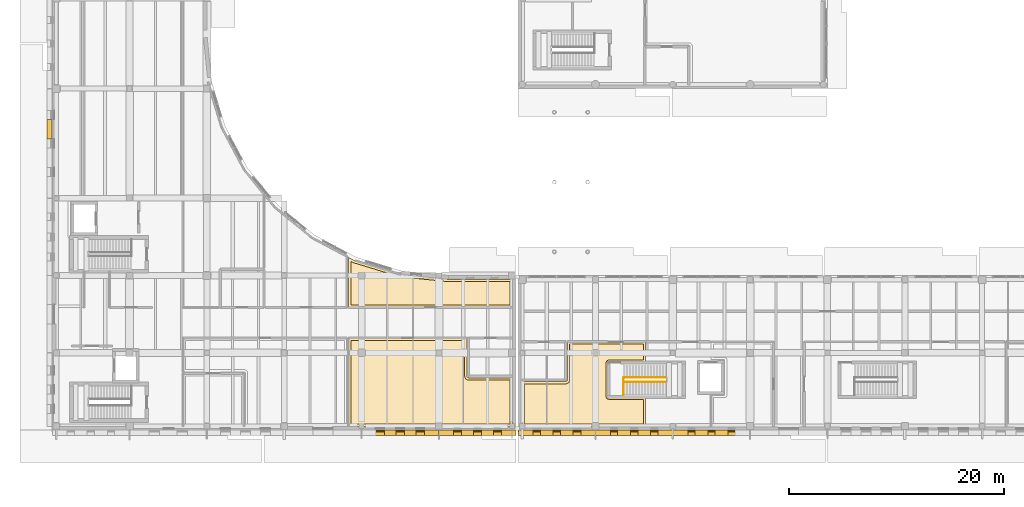
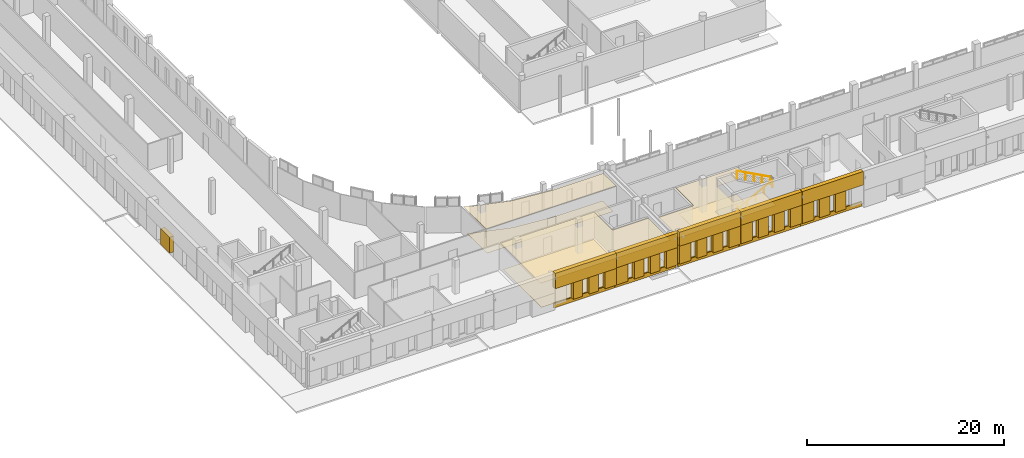
# One storey, part 66 of 77: 35 coverings, 3 railings.
"""IFC4 building model written with IfcOpenShell, lengths in metres."""

from ifc_helpers import new_model, si_unit, direction, frame, origin, origin_2d, place, context, subcontext, project, spatial, polyline, circle, outline, extrude, material, layer, layer_set, type_object, element, save


model = new_model("IFC4")

# Units and contexts
model_context = context("Model", 3, precision=1e-05, world=origin(), true_north=direction((0.0, 1.0)))
body_context = subcontext(model_context, "Body", "Model", "MODEL_VIEW")
ifc_project = project(units=[si_unit("LENGTHUNIT", "METRE"), si_unit("AREAUNIT", "SQUARE_METRE"), si_unit("VOLUMEUNIT", "CUBIC_METRE"), si_unit("PLANEANGLEUNIT", "RADIAN"), si_unit("MASSUNIT", "GRAM", prefix="KILO")], contexts=[model_context])

# Site, building, storey
site_placement = place(None, origin())
site = spatial("IfcSite", under=ifc_project, at=site_placement, CompositionType="ELEMENT")
building_placement = place(site_placement, origin())
building = spatial("IfcBuilding", under=site, at=building_placement, Name="Vardoun Plaza Health Centre", CompositionType="ELEMENT")
storey_placement = place(building_placement, origin())
storey = spatial("IfcBuildingStorey", under=building, at=storey_placement, Name="L00", CompositionType="ELEMENT", Elevation=0.0)

# Coverings
ifc_material_1 = material(Name="Hygienic Acoustic Mineral-Fibre Ceiling", Category="concrete")
ifc_layer_1 = layer(ifc_material_1, 0.02490234375)
ifc_layer_set_1 = layer_set([ifc_layer_1], Name="Hygienic Acoustic Mineral-Fibre Ceiling")
covering_type_1 = type_object("IfcCoveringType", Name="CL-01", PredefinedType="CEILING", material=ifc_layer_set_1)
covering_1_placement = place(storey_placement, frame((0.0, 0.0, 3.179931640625)))
element("IfcCovering", 1, at=covering_1_placement, inside=storey, type_object=covering_type_1, Name="GP Consulting Room 04 Acoustic Ceiling", PredefinedType="CEILING", context=body_context, shape_type="SweptSolid", body=[
    extrude(outline(polyline([(32.10009765625, 13.070068359375), (43.116455078125, 13.070068359375), (43.116455078125, 9.529052734375), (43.116455078125, 9.528564453125), (43.1171875, 9.514892578125), (43.1171875, 9.513916015625), (43.119384765625, 9.500244140625), (43.119384765625, 9.49951171875), (43.122802734375, 9.486083984375), (43.123046875, 9.485107421875), (43.127685546875, 9.47216796875), (43.128173828125, 9.471435546875), (43.1337890625, 9.458984375), (43.134521484375, 9.4580078125), (43.1416015625, 9.446044921875), (43.14208984375, 9.4453125), (43.150390625, 9.434326171875), (43.15087890625, 9.43359375), (43.16015625, 9.42333984375), (43.160888671875, 9.422607421875), (43.1708984375, 9.41357421875), (43.171630859375, 9.412841796875), (43.1826171875, 9.40478515625), (43.18359375, 9.404052734375), (43.1953125, 9.397216796875), (43.1962890625, 9.396728515625), (43.20849609375, 9.390869140625), (43.209716796875, 9.390380859375), (43.22265625, 9.3857421875), (43.223388671875, 9.385498046875), (43.23681640625, 9.382080078125), (43.23779296875, 9.3818359375), (43.251220703125, 9.3798828125), (43.252197265625, 9.3798828125), (43.26611328125, 9.379150390625), (43.2666015625, 9.379150390625), (47.340087890625, 9.379150390625), (47.340087890625, 4.860107421875), (32.10009765625, 4.860107421875), (32.10009765625, 13.070068359375)])), origin(), (0.0, 0.0, 1.0), 0.025146484375),
])
covering_2_placement = place(storey_placement, frame((0.0, 0.0, 3.179931640625)))
element("IfcCovering", 2, at=covering_2_placement, inside=storey, type_object=covering_type_1, Name="GP Consulting Room 01 Acoustic Ceiling", PredefinedType="CEILING", context=body_context, shape_type="SweptSolid", body=[
    extrude(outline(polyline([(32.619873046875, 20.295166015625), (32.620361328125, 20.294921875), (32.6513671875, 20.2802734375), (32.65234375, 20.27978515625), (32.6845703125, 20.268310546875), (32.68505859375, 20.268310546875), (36.906005859375, 18.98779296875), (36.906494140625, 18.98779296875), (36.939697265625, 18.979248046875), (36.940673828125, 18.97900390625), (36.974609375, 18.97412109375), (36.97509765625, 18.97412109375), (41.36474609375, 18.541748046875), (41.365234375, 18.541748046875), (41.3994140625, 18.5400390625), (41.39990234375, 18.5400390625), (47.340087890625, 18.5400390625), (47.340087890625, 15.929931640625), (32.10009765625, 15.929931640625), (32.10009765625, 20.572998046875), (32.619873046875, 20.295166015625)])), origin(), (0.0, 0.0, 1.0), 0.025146484375),
])
covering_3_placement = place(storey_placement, frame((0.0, 0.0, 3.14501953125)))
element("IfcCovering", 3, at=covering_3_placement, inside=storey, type_object=covering_type_1, Name="Digital X-Ray Radiography Room 2 Acoustic Ceiling", PredefinedType="CEILING", context=body_context, shape_type="SweptSolid", body=[
    extrude(outline(polyline([(59.75, 10.81005859375), (56.300048828125, 10.81005859375), (56.299072265625, 10.81005859375), (56.298095703125, 10.809814453125), (56.297119140625, 10.8095703125), (56.296142578125, 10.80908203125), (56.29541015625, 10.808837890625), (56.29443359375, 10.808349609375), (56.293701171875, 10.8076171875), (56.29296875, 10.80712890625), (56.292236328125, 10.806396484375), (56.291748046875, 10.8056640625), (56.291259765625, 10.8046875), (56.290771484375, 10.8037109375), (56.290283203125, 10.802978515625), (56.290283203125, 10.802001953125), (56.2900390625, 10.801025390625), (56.2900390625, 10.800048828125), (56.2900390625, 7.60009765625), (56.2900390625, 7.59912109375), (56.290283203125, 7.597900390625), (56.290283203125, 7.59716796875), (56.290771484375, 7.59619140625), (56.291259765625, 7.59521484375), (56.291748046875, 7.594482421875), (56.292236328125, 7.59375), (56.29296875, 7.593017578125), (56.293701171875, 7.59228515625), (56.29443359375, 7.591796875), (56.29541015625, 7.59130859375), (56.296142578125, 7.5908203125), (56.297119140625, 7.59033203125), (56.298095703125, 7.590087890625), (56.299072265625, 7.590087890625), (56.300048828125, 7.590087890625), (59.75, 7.590087890625), (59.75, 4.860107421875), (48.239990234375, 4.860107421875), (48.239990234375, 9.029052734375), (52.3134765625, 9.029052734375), (52.31396484375, 9.029052734375), (52.32763671875, 9.02978515625), (52.32861328125, 9.02978515625), (52.34228515625, 9.031982421875), (52.34326171875, 9.031982421875), (52.356689453125, 9.035400390625), (52.357421875, 9.035888671875), (52.370361328125, 9.040283203125), (52.371337890625, 9.040771484375), (52.3837890625, 9.046630859375), (52.384521484375, 9.047119140625), (52.396484375, 9.05419921875), (52.397216796875, 9.0546875), (52.408203125, 9.06298828125), (52.408935546875, 9.0634765625), (52.419189453125, 9.07275390625), (52.419921875, 9.073486328125), (52.42919921875, 9.08349609375), (52.4296875, 9.084228515625), (52.43798828125, 9.09521484375), (52.4384765625, 9.09619140625), (52.445556640625, 9.10791015625), (52.446044921875, 9.10888671875), (52.451904296875, 9.121337890625), (52.4521484375, 9.122314453125), (52.456787109375, 9.135009765625), (52.457275390625, 9.135986328125), (52.46044921875, 9.1494140625), (52.460693359375, 9.150390625), (52.462646484375, 9.163818359375), (52.462890625, 9.164794921875), (52.46337890625, 9.1787109375), (52.46337890625, 9.17919921875), (52.46337890625, 12.719970703125), (59.75, 12.719970703125), (59.75, 10.81005859375)])), origin(), (0.0, 0.0, 1.0), 0.02490234375),
])
ifc_material_2 = material(Name="Pale Limestone Concrete C35/45", Category="masonry")
ifc_layer_2 = layer(ifc_material_2, 0.080078125)
ifc_layer_set_2 = layer_set([ifc_layer_2], Name="Pale Limestone Concrete C35/45")
covering_type_2 = type_object("IfcCoveringType", Name="CL-EXT1", PredefinedType="CLADDING", material=ifc_layer_set_2)
covering_4_placement = place(storey_placement, origin())
element("IfcCovering", 4, at=covering_4_placement, inside=storey, type_object=covering_type_2, Name="V2 L00 Pale Concrete Sill Band 1", PredefinedType="CLADDING", context=body_context, shape_type="SweptSolid", body=[
    extrude(outline(polyline([(47.679931640625, 4.5), (40.52001953125, 4.5), (40.52001953125, 4.360107421875), (47.679931640625, 4.360107421875), (47.679931640625, 4.5)])), origin(), (0.0, 0.0, 1.0), 0.550048828125),
])
covering_5_placement = place(storey_placement, frame((0.0, 0.0, 2.68994140625)))
element("IfcCovering", 5, at=covering_5_placement, inside=storey, type_object=covering_type_2, Name="V2 L00 Sculpted Concrete Eyebrow Hood 2", PredefinedType="CLADDING", context=body_context, shape_type="SweptSolid", body=[
    extrude(outline(polyline([(47.679931640625, 4.5), (40.52001953125, 4.5), (40.52001953125, 4.02001953125), (47.679931640625, 4.02001953125), (47.679931640625, 4.5)])), origin(), (0.0, 0.0, 1.0), 1.81005859375),
])
covering_6_placement = place(storey_placement, frame((0.0, 0.0, 0.550048828125)))
element("IfcCovering", 6, at=covering_6_placement, inside=storey, type_object=covering_type_2, Name="V2 L00 Deep-Punched Slot Concrete Reveal Pier 3", PredefinedType="CLADDING", context=body_context, shape_type="SweptSolid", body=[
    extrude(outline(polyline([(47.679931640625, 4.5), (46.346923828125, 4.5), (46.346923828125, 4.02001953125), (47.679931640625, 4.02001953125), (47.679931640625, 4.5)])), origin(), (0.0, 0.0, 1.0), 2.139892578125),
])
covering_7_placement = place(storey_placement, frame((0.0, 0.0, 0.550048828125)))
element("IfcCovering", 7, at=covering_7_placement, inside=storey, type_object=covering_type_2, Name="V2 L00 Deep-Punched Slot Concrete Reveal Pier 4", PredefinedType="CLADDING", context=body_context, shape_type="SweptSolid", body=[
    extrude(outline(polyline([(45.596923828125, 4.5), (44.47509765625, 4.5), (44.47509765625, 4.02001953125), (45.596923828125, 4.02001953125), (45.596923828125, 4.5)])), origin(), (0.0, 0.0, 1.0), 2.139892578125),
])
covering_8_placement = place(storey_placement, frame((0.0, 0.0, 0.550048828125)))
element("IfcCovering", 8, at=covering_8_placement, inside=storey, type_object=covering_type_2, Name="V2 L00 Deep-Punched Slot Concrete Reveal Pier 5", PredefinedType="CLADDING", context=body_context, shape_type="SweptSolid", body=[
    extrude(outline(polyline([(43.72509765625, 4.5), (42.60302734375, 4.5), (42.60302734375, 4.02001953125), (43.72509765625, 4.02001953125), (43.72509765625, 4.5)])), origin(), (0.0, 0.0, 1.0), 2.139892578125),
])
covering_9_placement = place(storey_placement, frame((0.0, 0.0, 0.550048828125)))
element("IfcCovering", 9, at=covering_9_placement, inside=storey, type_object=covering_type_2, Name="V2 L00 Deep-Punched Slot Concrete Reveal Pier 6", PredefinedType="CLADDING", context=body_context, shape_type="SweptSolid", body=[
    extrude(outline(polyline([(41.85302734375, 4.5), (40.52001953125, 4.5), (40.52001953125, 4.02001953125), (41.85302734375, 4.02001953125), (41.85302734375, 4.5)])), origin(), (0.0, 0.0, 1.0), 2.139892578125),
])
covering_10_placement = place(storey_placement, origin())
element("IfcCovering", 10, at=covering_10_placement, inside=storey, type_object=covering_type_2, Name="V2 L00 Pale Concrete Sill Band 7", PredefinedType="CLADDING", context=body_context, shape_type="SweptSolid", body=[
    extrude(outline(polyline([(40.47998046875, 4.5), (33.320068359375, 4.5), (33.320068359375, 4.360107421875), (40.47998046875, 4.360107421875), (40.47998046875, 4.5)])), origin(), (0.0, 0.0, 1.0), 0.550048828125),
])
covering_11_placement = place(storey_placement, frame((0.0, 0.0, 2.610107421875)))
element("IfcCovering", 11, at=covering_11_placement, inside=storey, type_object=covering_type_2, Name="V2 L00 Sculpted Concrete Eyebrow Hood 8", PredefinedType="CLADDING", context=body_context, shape_type="SweptSolid", body=[
    extrude(outline(polyline([(40.47998046875, 4.5), (33.320068359375, 4.5), (33.320068359375, 4.02001953125), (40.47998046875, 4.02001953125), (40.47998046875, 4.5)])), origin(), (0.0, 0.0, 1.0), 1.889892578125),
])
covering_12_placement = place(storey_placement, frame((0.0, 0.0, 0.550048828125)))
element("IfcCovering", 12, at=covering_12_placement, inside=storey, type_object=covering_type_2, Name="V2 L00 Deep-Punched Slot Concrete Reveal Pier 9", PredefinedType="CLADDING", context=body_context, shape_type="SweptSolid", body=[
    extrude(outline(polyline([(40.47998046875, 4.5), (39.177001953125, 4.5), (39.177001953125, 4.02001953125), (40.47998046875, 4.02001953125), (40.47998046875, 4.5)])), origin(), (0.0, 0.0, 1.0), 2.06005859375),
])
covering_13_placement = place(storey_placement, frame((0.0, 0.0, 0.550048828125)))
element("IfcCovering", 13, at=covering_13_placement, inside=storey, type_object=covering_type_2, Name="V2 L00 Deep-Punched Slot Concrete Reveal Pier 10", PredefinedType="CLADDING", context=body_context, shape_type="SweptSolid", body=[
    extrude(outline(polyline([(38.366943359375, 4.5), (37.304931640625, 4.5), (37.304931640625, 4.02001953125), (38.366943359375, 4.02001953125), (38.366943359375, 4.5)])), origin(), (0.0, 0.0, 1.0), 2.06005859375),
])
covering_14_placement = place(storey_placement, frame((0.0, 0.0, 0.550048828125)))
element("IfcCovering", 14, at=covering_14_placement, inside=storey, type_object=covering_type_2, Name="V2 L00 Deep-Punched Slot Concrete Reveal Pier 11", PredefinedType="CLADDING", context=body_context, shape_type="SweptSolid", body=[
    extrude(outline(polyline([(36.4951171875, 4.5), (35.43310546875, 4.5), (35.43310546875, 4.02001953125), (36.4951171875, 4.02001953125), (36.4951171875, 4.5)])), origin(), (0.0, 0.0, 1.0), 2.06005859375),
])
covering_15_placement = place(storey_placement, frame((0.0, 0.0, 0.550048828125)))
element("IfcCovering", 15, at=covering_15_placement, inside=storey, type_object=covering_type_2, Name="V2 L00 Deep-Punched Slot Concrete Reveal Pier 52", PredefinedType="CLADDING", context=body_context, shape_type="SweptSolid", body=[
    extrude(outline(polyline([(4.5, 31.610107421875), (4.5, 33.44189453125), (4.02001953125, 33.44189453125), (4.02001953125, 31.610107421875), (4.5, 31.610107421875)])), origin(), (0.0, 0.0, 1.0), 1.949951171875),
])
covering_16_placement = place(storey_placement, origin())
element("IfcCovering", 16, at=covering_16_placement, inside=storey, type_object=covering_type_2, Name="V4 L00 Pale Concrete Sill Band 1007", PredefinedType="CLADDING", context=body_context, shape_type="SweptSolid", body=[
    extrude(outline(polyline([(69.4599609375, 4.5), (62.300048828125, 4.5), (62.300048828125, 4.360107421875), (69.4599609375, 4.360107421875), (69.4599609375, 4.5)])), origin(), (0.0, 0.0, 1.0), 0.550048828125),
])
covering_17_placement = place(storey_placement, frame((0.0, 0.0, 2.830078125)))
element("IfcCovering", 17, at=covering_17_placement, inside=storey, type_object=covering_type_2, Name="V4 L00 Sculpted Concrete Eyebrow Hood 1008", PredefinedType="CLADDING", context=body_context, shape_type="SweptSolid", body=[
    extrude(outline(polyline([(69.4599609375, 4.5), (62.300048828125, 4.5), (62.300048828125, 4.02001953125), (69.4599609375, 4.02001953125), (69.4599609375, 4.5)])), origin(), (0.0, 0.0, 1.0), 1.669921875),
])
covering_18_placement = place(storey_placement, frame((0.0, 0.0, 0.550048828125)))
element("IfcCovering", 18, at=covering_18_placement, inside=storey, type_object=covering_type_2, Name="V4 L00 Deep-Punched Slot Concrete Reveal Pier 1010", PredefinedType="CLADDING", context=body_context, shape_type="SweptSolid", body=[
    extrude(outline(polyline([(67.431884765625, 4.5), (66.199951171875, 4.5), (66.199951171875, 4.02001953125), (67.431884765625, 4.02001953125), (67.431884765625, 4.5)])), origin(), (0.0, 0.0, 1.0), 2.280029296875),
])
covering_19_placement = place(storey_placement, frame((0.0, 0.0, 0.550048828125)))
element("IfcCovering", 19, at=covering_19_placement, inside=storey, type_object=covering_type_2, Name="V4 L00 Deep-Punched Slot Concrete Reveal Pier 1011", PredefinedType="CLADDING", context=body_context, shape_type="SweptSolid", body=[
    extrude(outline(polyline([(65.56005859375, 4.5), (64.327880859375, 4.5), (64.327880859375, 4.02001953125), (65.56005859375, 4.02001953125), (65.56005859375, 4.5)])), origin(), (0.0, 0.0, 1.0), 2.280029296875),
])
covering_20_placement = place(storey_placement, frame((0.0, 0.0, 0.550048828125)))
element("IfcCovering", 20, at=covering_20_placement, inside=storey, type_object=covering_type_2, Name="V4 L00 Deep-Punched Slot Concrete Reveal Pier 1012", PredefinedType="CLADDING", context=body_context, shape_type="SweptSolid", body=[
    extrude(outline(polyline([(63.68798828125, 4.5), (62.300048828125, 4.5), (62.300048828125, 4.02001953125), (63.68798828125, 4.02001953125), (63.68798828125, 4.5)])), origin(), (0.0, 0.0, 1.0), 2.280029296875),
])
covering_21_placement = place(storey_placement, origin())
element("IfcCovering", 21, at=covering_21_placement, inside=storey, type_object=covering_type_2, Name="V4 L00 Pale Concrete Sill Band 1013", PredefinedType="CLADDING", context=body_context, shape_type="SweptSolid", body=[
    extrude(outline(polyline([(62.260009765625, 4.5), (55.10009765625, 4.5), (55.10009765625, 4.360107421875), (62.260009765625, 4.360107421875), (62.260009765625, 4.5)])), origin(), (0.0, 0.0, 1.0), 0.550048828125),
])
covering_22_placement = place(storey_placement, frame((0.0, 0.0, 2.830078125)))
element("IfcCovering", 22, at=covering_22_placement, inside=storey, type_object=covering_type_2, Name="V4 L00 Sculpted Concrete Eyebrow Hood 1014", PredefinedType="CLADDING", context=body_context, shape_type="SweptSolid", body=[
    extrude(outline(polyline([(62.260009765625, 4.5), (55.10009765625, 4.5), (55.10009765625, 4.02001953125), (62.260009765625, 4.02001953125), (62.260009765625, 4.5)])), origin(), (0.0, 0.0, 1.0), 1.669921875),
])
covering_23_placement = place(storey_placement, frame((0.0, 0.0, 0.550048828125)))
element("IfcCovering", 23, at=covering_23_placement, inside=storey, type_object=covering_type_2, Name="V4 L00 Deep-Punched Slot Concrete Reveal Pier 1015", PredefinedType="CLADDING", context=body_context, shape_type="SweptSolid", body=[
    extrude(outline(polyline([(62.260009765625, 4.5), (60.89208984375, 4.5), (60.89208984375, 4.02001953125), (62.260009765625, 4.02001953125), (62.260009765625, 4.5)])), origin(), (0.0, 0.0, 1.0), 2.280029296875),
])
covering_24_placement = place(storey_placement, frame((0.0, 0.0, 0.550048828125)))
element("IfcCovering", 24, at=covering_24_placement, inside=storey, type_object=covering_type_2, Name="V4 L00 Deep-Punched Slot Concrete Reveal Pier 1016", PredefinedType="CLADDING", context=body_context, shape_type="SweptSolid", body=[
    extrude(outline(polyline([(60.2119140625, 4.5), (59.02001953125, 4.5), (59.02001953125, 4.02001953125), (60.2119140625, 4.02001953125), (60.2119140625, 4.5)])), origin(), (0.0, 0.0, 1.0), 2.280029296875),
])
covering_25_placement = place(storey_placement, frame((0.0, 0.0, 0.550048828125)))
element("IfcCovering", 25, at=covering_25_placement, inside=storey, type_object=covering_type_2, Name="V4 L00 Deep-Punched Slot Concrete Reveal Pier 1017", PredefinedType="CLADDING", context=body_context, shape_type="SweptSolid", body=[
    extrude(outline(polyline([(58.340087890625, 4.5), (57.14794921875, 4.5), (57.14794921875, 4.02001953125), (58.340087890625, 4.02001953125), (58.340087890625, 4.5)])), origin(), (0.0, 0.0, 1.0), 2.280029296875),
])
covering_26_placement = place(storey_placement, frame((0.0, 0.0, 0.550048828125)))
element("IfcCovering", 26, at=covering_26_placement, inside=storey, type_object=covering_type_2, Name="V4 L00 Deep-Punched Slot Concrete Reveal Pier 1018", PredefinedType="CLADDING", context=body_context, shape_type="SweptSolid", body=[
    extrude(outline(polyline([(56.468017578125, 4.5), (55.10009765625, 4.5), (55.10009765625, 4.02001953125), (56.468017578125, 4.02001953125), (56.468017578125, 4.5)])), origin(), (0.0, 0.0, 1.0), 2.280029296875),
])
covering_27_placement = place(storey_placement, origin())
element("IfcCovering", 27, at=covering_27_placement, inside=storey, type_object=covering_type_2, Name="V4 L00 Pale Concrete Sill Band 1019", PredefinedType="CLADDING", context=body_context, shape_type="SweptSolid", body=[
    extrude(outline(polyline([(55.06005859375, 4.5), (47.89990234375, 4.5), (47.89990234375, 4.360107421875), (55.06005859375, 4.360107421875), (55.06005859375, 4.5)])), origin(), (0.0, 0.0, 1.0), 0.550048828125),
])
covering_28_placement = place(storey_placement, frame((0.0, 0.0, 2.77001953125)))
element("IfcCovering", 28, at=covering_28_placement, inside=storey, type_object=covering_type_2, Name="V4 L00 Sculpted Concrete Eyebrow Hood 1020", PredefinedType="CLADDING", context=body_context, shape_type="SweptSolid", body=[
    extrude(outline(polyline([(55.06005859375, 4.5), (47.89990234375, 4.5), (47.89990234375, 4.02001953125), (55.06005859375, 4.02001953125), (55.06005859375, 4.5)])), origin(), (0.0, 0.0, 1.0), 1.72998046875),
])
covering_29_placement = place(storey_placement, frame((0.0, 0.0, 0.550048828125)))
element("IfcCovering", 29, at=covering_29_placement, inside=storey, type_object=covering_type_2, Name="V4 L00 Deep-Punched Slot Concrete Reveal Pier 1021", PredefinedType="CLADDING", context=body_context, shape_type="SweptSolid", body=[
    extrude(outline(polyline([(55.06005859375, 4.5), (53.7119140625, 4.5), (53.7119140625, 4.02001953125), (55.06005859375, 4.02001953125), (55.06005859375, 4.5)])), origin(), (0.0, 0.0, 1.0), 2.219970703125),
])
covering_30_placement = place(storey_placement, frame((0.0, 0.0, 0.550048828125)))
element("IfcCovering", 30, at=covering_30_placement, inside=storey, type_object=covering_type_2, Name="V4 L00 Deep-Punched Slot Concrete Reveal Pier 1022", PredefinedType="CLADDING", context=body_context, shape_type="SweptSolid", body=[
    extrude(outline(polyline([(52.991943359375, 4.5), (51.840087890625, 4.5), (51.840087890625, 4.02001953125), (52.991943359375, 4.02001953125), (52.991943359375, 4.5)])), origin(), (0.0, 0.0, 1.0), 2.219970703125),
])
covering_31_placement = place(storey_placement, frame((0.0, 0.0, 0.550048828125)))
element("IfcCovering", 31, at=covering_31_placement, inside=storey, type_object=covering_type_2, Name="V4 L00 Deep-Punched Slot Concrete Reveal Pier 1023", PredefinedType="CLADDING", context=body_context, shape_type="SweptSolid", body=[
    extrude(outline(polyline([(51.1201171875, 4.5), (49.968017578125, 4.5), (49.968017578125, 4.02001953125), (51.1201171875, 4.02001953125), (51.1201171875, 4.5)])), origin(), (0.0, 0.0, 1.0), 2.219970703125),
])
covering_32_placement = place(storey_placement, frame((0.0, 0.0, 0.550048828125)))
element("IfcCovering", 32, at=covering_32_placement, inside=storey, type_object=covering_type_2, Name="V4 L00 Deep-Punched Slot Concrete Reveal Pier 1024", PredefinedType="CLADDING", context=body_context, shape_type="SweptSolid", body=[
    extrude(outline(polyline([(49.248046875, 4.5), (47.89990234375, 4.5), (47.89990234375, 4.02001953125), (49.248046875, 4.02001953125), (49.248046875, 4.5)])), origin(), (0.0, 0.0, 1.0), 2.219970703125),
])
ifc_material_3 = material(Name="Seamless Conductive Clinical Vinyl Flooring", Category="concrete")
ifc_layer_3 = layer(ifc_material_3, 0.014892578125)
ifc_layer_set_3 = layer_set([ifc_layer_3], Name="Seamless Conductive Clinical Vinyl Flooring")
covering_type_3 = type_object("IfcCoveringType", Name="FL-01", PredefinedType="FLOORING", material=ifc_layer_set_3)
covering_33_placement = place(storey_placement, origin())
element("IfcCovering", 33, at=covering_33_placement, inside=storey, type_object=covering_type_3, Name="GP Consulting Room 04 Floor Finish", PredefinedType="FLOORING", context=body_context, shape_type="SweptSolid", body=[
    extrude(outline(polyline([(32.31005859375, 12.860107421875), (42.906494140625, 12.860107421875), (42.906494140625, 9.529052734375), (42.90673828125, 9.517822265625), (42.907470703125, 9.504150390625), (42.909423828125, 9.4833984375), (42.91162109375, 9.4697265625), (42.915771484375, 9.44873046875), (42.9189453125, 9.435546875), (42.92578125, 9.4130859375), (42.930419921875, 9.400390625), (42.9375, 9.383056640625), (42.943359375, 9.37060546875), (42.95458984375, 9.349609375), (42.961669921875, 9.337890625), (42.9736328125, 9.31982421875), (42.98193359375, 9.308837890625), (42.994873046875, 9.29296875), (43.004150390625, 9.28271484375), (43.020263671875, 9.2666015625), (43.030517578125, 9.257568359375), (43.046142578125, 9.244384765625), (43.05712890625, 9.236328125), (43.076416015625, 9.223388671875), (43.08837890625, 9.216552734375), (43.10595703125, 9.20703125), (43.118408203125, 9.201171875), (43.139404296875, 9.1923828125), (43.152587890625, 9.187744140625), (43.17138671875, 9.18212890625), (43.184814453125, 9.1787109375), (43.207275390625, 9.174072265625), (43.220703125, 9.172119140625), (43.24169921875, 9.170166015625), (43.25537109375, 9.16943359375), (43.2666015625, 9.169189453125), (47.1298828125, 9.169189453125), (47.1298828125, 5.070068359375), (32.31005859375, 5.070068359375), (32.31005859375, 12.860107421875)])), origin(), (0.0, 0.0, 1.0), 0.014892578125),
])
covering_34_placement = place(storey_placement, origin())
element("IfcCovering", 34, at=covering_34_placement, inside=storey, type_object=covering_type_3, Name="GP Consulting Room 01 Floor Finish", PredefinedType="FLOORING", context=body_context, shape_type="SweptSolid", body=[
    extrude(outline(polyline([(32.52099609375, 20.110107421875), (32.530517578125, 20.10498046875), (32.561767578125, 20.09033203125), (32.581787109375, 20.08203125), (32.6142578125, 20.070556640625), (32.6240234375, 20.0673828125), (36.844970703125, 18.786865234375), (36.85498046875, 18.7841796875), (36.888427734375, 18.775634765625), (36.91015625, 18.771240234375), (36.944091796875, 18.766357421875), (36.95458984375, 18.76513671875), (41.343994140625, 18.332763671875), (41.354736328125, 18.33203125), (41.38916015625, 18.330322265625), (41.39990234375, 18.330078125), (47.1298828125, 18.330078125), (47.1298828125, 16.139892578125), (32.31005859375, 16.139892578125), (32.31005859375, 20.22265625), (32.52099609375, 20.110107421875)])), origin(), (0.0, 0.0, 1.0), 0.014892578125),
])
covering_35_placement = place(storey_placement, origin())
element("IfcCovering", 35, at=covering_35_placement, inside=storey, type_object=covering_type_3, Name="Digital X-Ray Radiography Room 2 Floor Finish", PredefinedType="FLOORING", context=body_context, shape_type="SweptSolid", body=[
    extrude(outline(polyline([(59.5400390625, 11.02001953125), (56.300048828125, 11.02001953125), (56.2783203125, 11.018798828125), (56.257080078125, 11.015869140625), (56.236083984375, 11.010498046875), (56.2158203125, 11.00341796875), (56.1962890625, 10.993896484375), (56.177734375, 10.98291015625), (56.160400390625, 10.97021484375), (56.144287109375, 10.95556640625), (56.1298828125, 10.939697265625), (56.1171875, 10.922119140625), (56.10595703125, 10.90380859375), (56.0966796875, 10.88427734375), (56.089599609375, 10.864013671875), (56.084228515625, 10.843017578125), (56.0810546875, 10.821533203125), (56.080078125, 10.800048828125), (56.080078125, 7.60009765625), (56.0810546875, 7.578369140625), (56.084228515625, 7.55712890625), (56.089599609375, 7.5361328125), (56.0966796875, 7.515869140625), (56.10595703125, 7.496337890625), (56.1171875, 7.477783203125), (56.1298828125, 7.46044921875), (56.144287109375, 7.4443359375), (56.160400390625, 7.429931640625), (56.177734375, 7.4169921875), (56.1962890625, 7.406005859375), (56.2158203125, 7.396728515625), (56.236083984375, 7.389404296875), (56.257080078125, 7.38427734375), (56.2783203125, 7.381103515625), (56.300048828125, 7.3798828125), (59.5400390625, 7.3798828125), (59.5400390625, 5.070068359375), (48.449951171875, 5.070068359375), (48.449951171875, 8.819091796875), (52.3134765625, 8.819091796875), (52.32470703125, 8.8193359375), (52.33837890625, 8.820068359375), (52.359130859375, 8.822021484375), (52.372802734375, 8.82421875), (52.395263671875, 8.82861328125), (52.40869140625, 8.83203125), (52.427490234375, 8.837890625), (52.4404296875, 8.84228515625), (52.461669921875, 8.85107421875), (52.47412109375, 8.85693359375), (52.49169921875, 8.866455078125), (52.50341796875, 8.87353515625), (52.522705078125, 8.88623046875), (52.53369140625, 8.89453125), (52.549560546875, 8.907470703125), (52.559814453125, 8.916748046875), (52.575927734375, 8.932861328125), (52.585205078125, 8.943115234375), (52.59814453125, 8.958740234375), (52.606201171875, 8.9697265625), (52.618408203125, 8.98779296875), (52.62548828125, 8.999755859375), (52.63671875, 9.0205078125), (52.642333984375, 9.032958984375), (52.6494140625, 9.05029296875), (52.654296875, 9.063232421875), (52.660888671875, 9.08544921875), (52.664306640625, 9.098876953125), (52.66845703125, 9.119873046875), (52.67041015625, 9.13330078125), (52.672607421875, 9.154296875), (52.673095703125, 9.16796875), (52.673583984375, 9.17919921875), (52.673583984375, 12.510009765625), (59.5400390625, 12.510009765625), (59.5400390625, 11.02001953125)])), origin(), (0.0, 0.0, 1.0), 0.014892578125),
])

# Railings
ifc_material_4 = material(Name="Painted Steel S275JR Stair-Well Guardrail", Category="steel")
railing_type_1 = type_object("IfcRailingType", Name="GR-04", PredefinedType="GUARDRAIL", material=ifc_material_4)
railing_1_placement = place(storey_placement, frame((57.7099609375, 7.780029296875, 0.0)))
element("IfcRailing", 36, at=railing_1_placement, inside=storey, type_object=railing_type_1, Name="Stair ST-C6-B1 Upper Landing Well Guard", PredefinedType="GUARDRAIL", context=body_context, shape_type="SweptSolid", body=[
    extrude(circle(Radius=0.02392578125, at=origin_2d()), frame((0.0, 0.0, 1.09619140625), z_axis=(0.0, 1.0, 0.0), x_axis=(-1.0, 0.0, 0.0)), (0.0, 0.0, 1.0), 1.614990234375),
    extrude(circle(Radius=0.02099609375, at=origin_2d()), origin(), (0.0, 0.0, 1.0), 1.072021484375),
    extrude(circle(Radius=0.02099609375, at=origin_2d()), frame((0.0, 0.8076171875, 0.0)), (0.0, 0.0, 1.0), 1.072021484375),
    extrude(circle(Radius=0.02099609375, at=origin_2d()), frame((0.0, 1.614990234375, 0.0)), (0.0, 0.0, 1.0), 1.072021484375),
])
ifc_material_5 = material(Name="Brushed Stainless Steel Grade 316L", Category="steel")
railing_type_2 = type_object("IfcRailingType", Name="HR-01", PredefinedType="HANDRAIL", material=ifc_material_5)
railing_2_placement = place(storey_placement, frame((57.75, 9.0048828125, 0.14990234375)))
element("IfcRailing", 37, at=railing_2_placement, inside=storey, type_object=railing_type_2, Name="Stair ST-C6-L00 Flight 1 Handrail", PredefinedType="HANDRAIL", context=body_context, shape_type="SweptSolid", body=[
    extrude(circle(Radius=0.02392578125, at=origin_2d()), frame((0.0, 0.0, 0.89599609375), z_axis=(0.881466911329, 0.0, 0.472245787945), x_axis=(0.0, 1.0, 0.0)), (0.0, 0.0, 1.0), 4.447021484375),
    extrude(circle(Radius=0.02099609375, at=origin_2d()), origin(), (0.0, 0.0, 1.0), 0.871826171875),
    extrude(circle(Radius=0.02099609375, at=origin_2d()), frame((0.97998046875, 0.0, 0.52490234375)), (0.0, 0.0, 1.0), 0.871826171875),
    extrude(circle(Radius=0.02099609375, at=origin_2d()), frame((1.9599609375, 0.0, 1.050048828125)), (0.0, 0.0, 1.0), 0.871826171875),
    extrude(circle(Radius=0.02099609375, at=origin_2d()), frame((2.93994140625, 0.0, 1.5751953125)), (0.0, 0.0, 1.0), 0.871826171875),
    extrude(circle(Radius=0.02099609375, at=origin_2d()), frame((3.919921875, 0.0, 2.10009765625)), (0.0, 0.0, 1.0), 0.871826171875),
])
railing_3_placement = place(storey_placement, frame((61.669921875, 9.39501953125, 2.39990234375)))
element("IfcRailing", 38, at=railing_3_placement, inside=storey, type_object=railing_type_2, Name="Stair ST-C6-L00 Flight 2 Handrail", PredefinedType="HANDRAIL", context=body_context, shape_type="SweptSolid", body=[
    extrude(circle(Radius=0.02392578125, at=origin_2d()), frame((0.0, 0.0, 0.89599609375), z_axis=(-0.881466911329, 0.0, 0.472245787945), x_axis=(0.0, -1.0, 0.0)), (0.0, 0.0, 1.0), 4.447021484375),
    extrude(circle(Radius=0.02099609375, at=origin_2d()), origin(), (0.0, 0.0, 1.0), 0.871826171875),
    extrude(circle(Radius=0.02099609375, at=origin_2d()), frame((-0.97998046875, 0.0, 0.52490234375)), (0.0, 0.0, 1.0), 0.871826171875),
    extrude(circle(Radius=0.02099609375, at=origin_2d()), frame((-1.9599609375, 0.0, 1.050048828125)), (0.0, 0.0, 1.0), 0.871826171875),
    extrude(circle(Radius=0.02099609375, at=origin_2d()), frame((-2.93994140625, 0.0, 1.5751953125)), (0.0, 0.0, 1.0), 0.871826171875),
    extrude(circle(Radius=0.02099609375, at=origin_2d()), frame((-3.919921875, 0.0, 2.10009765625)), (0.0, 0.0, 1.0), 0.871826171875),
])

save(model, "model.ifc")
